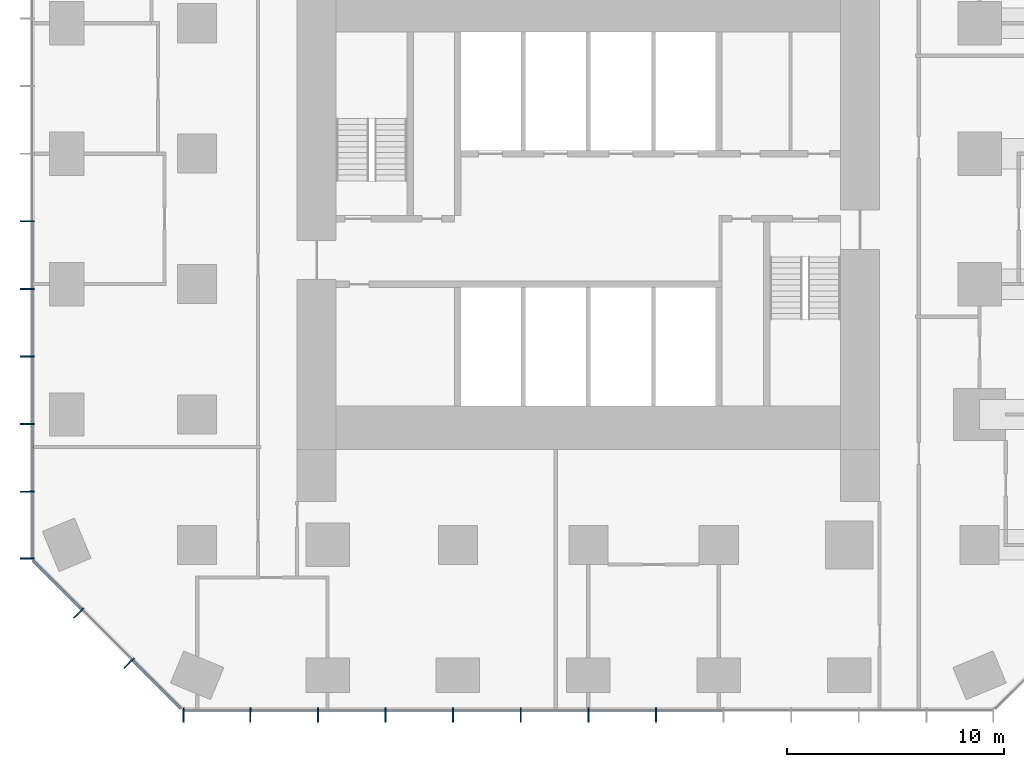
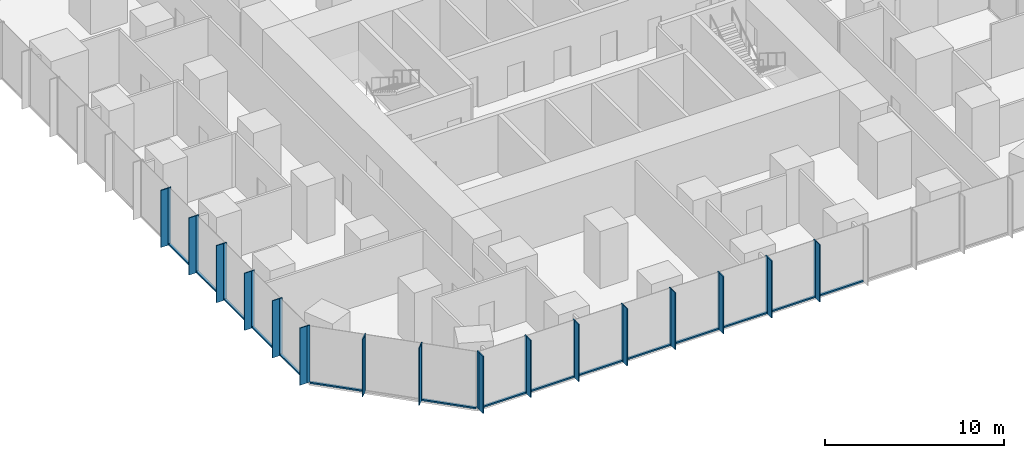
# One storey, part 2 of 12: 47 members, 3 elements without a shape of their own.
"""IFC4 building model written with IfcOpenShell, lengths in metres."""

from ifc_helpers import new_model, si_unit, direction, frame, origin, origin_2d, place, context, subcontext, project, spatial, rectangle, extrude, material, layer, layer_set, material_profile, profile_set, type_object, element, aggregate, save


model = new_model("IFC4")

# Units and contexts
model_context = context("Model", 3, precision=1e-05, world=origin(), true_north=direction((0.0, 1.0)))
body_context = subcontext(model_context, "Body", "Model", "MODEL_VIEW")
ifc_project = project(units=[si_unit("LENGTHUNIT", "METRE"), si_unit("AREAUNIT", "SQUARE_METRE"), si_unit("VOLUMEUNIT", "CUBIC_METRE"), si_unit("PLANEANGLEUNIT", "RADIAN"), si_unit("MASSUNIT", "GRAM", prefix="KILO")], contexts=[model_context])

# Site, building, storey
site_placement = place(None, origin())
site = spatial("IfcSite", under=ifc_project, at=site_placement, CompositionType="ELEMENT")
building_placement = place(site_placement, origin())
building = spatial("IfcBuilding", under=site, at=building_placement, Name="Highveld Stack Headquarters", CompositionType="ELEMENT")
storey_placement = place(building_placement, frame((0.0, 0.0, 80.60009765625)))
storey = spatial("IfcBuildingStorey", under=building, at=storey_placement, Name="L19", CompositionType="ELEMENT", Elevation=80.60009765625)

# Curtain wall, members
ifc_material_1 = material(Name="Aluminium bronze anodised", Category="aluminium")
ifc_layer_1 = layer(ifc_material_1, 0.199951171875)
ifc_layer_set_1 = layer_set([ifc_layer_1], Name="Aluminium bronze anodised")
curtain_wall_type_1 = type_object("IfcCurtainWallType", Name="CW1 TOWER UNITISED CURTAIN WALL", PredefinedType="NOTDEFINED", material=ifc_layer_set_1)
curtain_wall_1_placement = place(storey_placement, origin())
curtain_wall_1 = element("IfcCurtainWall", 1, at=curtain_wall_1_placement, inside=storey, type_object=curtain_wall_type_1, Name="Curtain wall CW1 L19 S", PredefinedType="NOTDEFINED")
ifc_material_2 = material(Name="Aluminium bronze anodised", Category="aluminium")
ifc_material_profile_1 = material_profile(ifc_material_2, rectangle(XDim=0.449951171875, YDim=0.06005859375, at=origin_2d()), Name="FIN 450x60")
ifc_profile_set_1 = profile_set([ifc_material_profile_1], Name="Aluminium bronze anodised")
member_type_1 = type_object("IfcMemberType", Name="CW1 BRONZE FIN 450x60", PredefinedType="USERDEFINED", material=ifc_profile_set_1)
member_1_placement = place(storey_placement, frame((-12.630126953125, -19.925048828125, 0.0), z_axis=(0.0, 0.0, 1.0), x_axis=(0.0, 1.0, 0.0)))
member_1 = element("IfcMember", 2, at=member_1_placement, type_object=member_type_1, Name="CW1 fin L19 1", ObjectType="FIN", PredefinedType="USERDEFINED", context=body_context, shape_type="SweptSolid", body=[
    extrude(rectangle(XDim=0.449951171875, YDim=0.06005859375, at=origin_2d()), origin(), (0.0, 0.0, 1.0), 3.89990234375),
])
member_2_placement = place(storey_placement, frame((-9.55224609375, -19.925048828125, 0.0), z_axis=(0.0, 0.0, 1.0), x_axis=(0.0, 1.0, 0.0)))
member_2 = element("IfcMember", 3, at=member_2_placement, type_object=member_type_1, Name="CW1 fin L19 2", ObjectType="FIN", PredefinedType="USERDEFINED", context=body_context, shape_type="SweptSolid", body=[
    extrude(rectangle(XDim=0.449951171875, YDim=0.06005859375, at=origin_2d()), origin(), (0.0, 0.0, 1.0), 3.89990234375),
])
member_3_placement = place(storey_placement, frame((-6.44189453125, -19.925048828125, 0.0), z_axis=(0.0, 0.0, 1.0), x_axis=(0.0, 1.0, 0.0)))
member_3 = element("IfcMember", 4, at=member_3_placement, type_object=member_type_1, Name="CW1 fin L19 3", ObjectType="FIN", PredefinedType="USERDEFINED", context=body_context, shape_type="SweptSolid", body=[
    extrude(rectangle(XDim=0.449951171875, YDim=0.06005859375, at=origin_2d()), origin(), (0.0, 0.0, 1.0), 3.89990234375),
])
member_4_placement = place(storey_placement, frame((-3.331298828125, -19.925048828125, 0.0), z_axis=(0.0, 0.0, 1.0), x_axis=(0.0, 1.0, 0.0)))
member_4 = element("IfcMember", 5, at=member_4_placement, type_object=member_type_1, Name="CW1 fin L19 4", ObjectType="FIN", PredefinedType="USERDEFINED", context=body_context, shape_type="SweptSolid", body=[
    extrude(rectangle(XDim=0.449951171875, YDim=0.06005859375, at=origin_2d()), origin(), (0.0, 0.0, 1.0), 3.89990234375),
])
member_5_placement = place(storey_placement, frame((-0.220947265625, -19.925048828125, 0.0), z_axis=(0.0, 0.0, 1.0), x_axis=(0.0, 1.0, 0.0)))
member_5 = element("IfcMember", 6, at=member_5_placement, type_object=member_type_1, Name="CW1 fin L19 5", ObjectType="FIN", PredefinedType="USERDEFINED", context=body_context, shape_type="SweptSolid", body=[
    extrude(rectangle(XDim=0.449951171875, YDim=0.06005859375, at=origin_2d()), origin(), (0.0, 0.0, 1.0), 3.89990234375),
])
member_6_placement = place(storey_placement, frame((2.8896484375, -19.925048828125, 0.0), z_axis=(0.0, 0.0, 1.0), x_axis=(0.0, 1.0, 0.0)))
member_6 = element("IfcMember", 7, at=member_6_placement, type_object=member_type_1, Name="CW1 fin L19 6", ObjectType="FIN", PredefinedType="USERDEFINED", context=body_context, shape_type="SweptSolid", body=[
    extrude(rectangle(XDim=0.449951171875, YDim=0.06005859375, at=origin_2d()), origin(), (0.0, 0.0, 1.0), 3.89990234375),
])
member_7_placement = place(storey_placement, frame((6.0, -19.925048828125, 0.0), z_axis=(0.0, 0.0, 1.0), x_axis=(0.0, 1.0, 0.0)))
member_7 = element("IfcMember", 8, at=member_7_placement, type_object=member_type_1, Name="CW1 fin L19 7", ObjectType="FIN", PredefinedType="USERDEFINED", context=body_context, shape_type="SweptSolid", body=[
    extrude(rectangle(XDim=0.449951171875, YDim=0.06005859375, at=origin_2d()), origin(), (0.0, 0.0, 1.0), 3.89990234375),
])
member_8_placement = place(storey_placement, frame((9.110595703125, -19.925048828125, 0.0), z_axis=(0.0, 0.0, 1.0), x_axis=(0.0, 1.0, 0.0)))
member_8 = element("IfcMember", 9, at=member_8_placement, type_object=member_type_1, Name="CW1 fin L19 8", ObjectType="FIN", PredefinedType="USERDEFINED", context=body_context, shape_type="SweptSolid", body=[
    extrude(rectangle(XDim=0.449951171875, YDim=0.06005859375, at=origin_2d()), origin(), (0.0, 0.0, 1.0), 3.89990234375),
])

curtain_wall_2_placement = place(storey_placement, origin())
curtain_wall_2 = element("IfcCurtainWall", 10, at=curtain_wall_2_placement, inside=storey, type_object=curtain_wall_type_1, Name="Curtain wall CW1 L19 W", PredefinedType="NOTDEFINED")
member_9_placement = place(storey_placement, frame((-19.925048828125, 2.889404296875, 0.0), z_axis=(0.0, 0.0, 1.0), x_axis=(1.0, 0.0, 0.0)))
member_9 = element("IfcMember", 11, at=member_9_placement, type_object=member_type_1, Name="CW1 fin L19 8", ObjectType="FIN", PredefinedType="USERDEFINED", context=body_context, shape_type="SweptSolid", body=[
    extrude(rectangle(XDim=0.449951171875, YDim=0.06005859375, at=origin_2d()), origin(), (0.0, 0.0, 1.0), 3.89990234375),
])
member_10_placement = place(storey_placement, frame((-19.925048828125, -0.220947265625, 0.0), z_axis=(0.0, 0.0, 1.0), x_axis=(1.0, 0.0, 0.0)))
member_10 = element("IfcMember", 12, at=member_10_placement, type_object=member_type_1, Name="CW1 fin L19 9", ObjectType="FIN", PredefinedType="USERDEFINED", context=body_context, shape_type="SweptSolid", body=[
    extrude(rectangle(XDim=0.449951171875, YDim=0.06005859375, at=origin_2d()), origin(), (0.0, 0.0, 1.0), 3.89990234375),
])
member_11_placement = place(storey_placement, frame((-19.925048828125, -3.331298828125, 0.0), z_axis=(0.0, 0.0, 1.0), x_axis=(1.0, 0.0, 0.0)))
member_11 = element("IfcMember", 13, at=member_11_placement, type_object=member_type_1, Name="CW1 fin L19 10", ObjectType="FIN", PredefinedType="USERDEFINED", context=body_context, shape_type="SweptSolid", body=[
    extrude(rectangle(XDim=0.449951171875, YDim=0.06005859375, at=origin_2d()), origin(), (0.0, 0.0, 1.0), 3.89990234375),
])
member_12_placement = place(storey_placement, frame((-19.925048828125, -6.44189453125, 0.0), z_axis=(0.0, 0.0, 1.0), x_axis=(1.0, 0.0, 0.0)))
member_12 = element("IfcMember", 14, at=member_12_placement, type_object=member_type_1, Name="CW1 fin L19 11", ObjectType="FIN", PredefinedType="USERDEFINED", context=body_context, shape_type="SweptSolid", body=[
    extrude(rectangle(XDim=0.449951171875, YDim=0.06005859375, at=origin_2d()), origin(), (0.0, 0.0, 1.0), 3.89990234375),
])
member_13_placement = place(storey_placement, frame((-19.925048828125, -9.55224609375, 0.0), z_axis=(0.0, 0.0, 1.0), x_axis=(1.0, 0.0, 0.0)))
member_13 = element("IfcMember", 15, at=member_13_placement, type_object=member_type_1, Name="CW1 fin L19 12", ObjectType="FIN", PredefinedType="USERDEFINED", context=body_context, shape_type="SweptSolid", body=[
    extrude(rectangle(XDim=0.449951171875, YDim=0.06005859375, at=origin_2d()), origin(), (0.0, 0.0, 1.0), 3.89990234375),
])
member_14_placement = place(storey_placement, frame((-19.925048828125, -12.630126953125, 0.0), z_axis=(0.0, 0.0, 1.0), x_axis=(1.0, 0.0, 0.0)))
member_14 = element("IfcMember", 16, at=member_14_placement, type_object=member_type_1, Name="CW1 fin L19 13", ObjectType="FIN", PredefinedType="USERDEFINED", context=body_context, shape_type="SweptSolid", body=[
    extrude(rectangle(XDim=0.449951171875, YDim=0.06005859375, at=origin_2d()), origin(), (0.0, 0.0, 1.0), 3.89990234375),
])

# Member
ifc_material_3 = material(Name="Aluminium bronze anodised", Category="aluminium")
ifc_material_profile_2 = material_profile(ifc_material_3, rectangle(XDim=0.199951171875, YDim=0.06494140625, at=origin_2d()), Name="CW1 MULLION 65x200")
ifc_profile_set_2 = profile_set([ifc_material_profile_2], Name="Aluminium bronze anodised")
member_type_2 = type_object("IfcMemberType", Name="CW1 MULLION 65x200", PredefinedType="MULLION", material=ifc_profile_set_2)
member_15_placement = place(storey_placement, frame((-12.630126953125, -19.60009765625, 0.0), z_axis=(0.0, 0.0, 1.0), x_axis=(0.0, 1.0, 0.0)))
member_15 = element("IfcMember", 17, at=member_15_placement, type_object=member_type_2, Name="CW1 mullion L19 1", PredefinedType="MULLION", context=body_context, shape_type="SweptSolid", body=[
    extrude(rectangle(XDim=0.199951171875, YDim=0.06494140625, at=origin_2d()), origin(), (0.0, 0.0, 1.0), 3.89990234375),
])

member_16_placement = place(storey_placement, frame((-9.55224609375, -19.60009765625, 0.0), z_axis=(0.0, 0.0, 1.0), x_axis=(0.0, 1.0, 0.0)))
member_16 = element("IfcMember", 18, at=member_16_placement, type_object=member_type_2, Name="CW1 mullion L19 2", PredefinedType="MULLION", context=body_context, shape_type="SweptSolid", body=[
    extrude(rectangle(XDim=0.199951171875, YDim=0.06494140625, at=origin_2d()), origin(), (0.0, 0.0, 1.0), 3.89990234375),
])

member_17_placement = place(storey_placement, frame((-6.44189453125, -19.60009765625, 0.0), z_axis=(0.0, 0.0, 1.0), x_axis=(0.0, 1.0, 0.0)))
member_17 = element("IfcMember", 19, at=member_17_placement, type_object=member_type_2, Name="CW1 mullion L19 3", PredefinedType="MULLION", context=body_context, shape_type="SweptSolid", body=[
    extrude(rectangle(XDim=0.199951171875, YDim=0.06494140625, at=origin_2d()), origin(), (0.0, 0.0, 1.0), 3.89990234375),
])

member_18_placement = place(storey_placement, frame((-3.331298828125, -19.60009765625, 0.0), z_axis=(0.0, 0.0, 1.0), x_axis=(0.0, 1.0, 0.0)))
member_18 = element("IfcMember", 20, at=member_18_placement, type_object=member_type_2, Name="CW1 mullion L19 4", PredefinedType="MULLION", context=body_context, shape_type="SweptSolid", body=[
    extrude(rectangle(XDim=0.199951171875, YDim=0.06494140625, at=origin_2d()), origin(), (0.0, 0.0, 1.0), 3.89990234375),
])

member_19_placement = place(storey_placement, frame((-0.220947265625, -19.60009765625, 0.0), z_axis=(0.0, 0.0, 1.0), x_axis=(0.0, 1.0, 0.0)))
member_19 = element("IfcMember", 21, at=member_19_placement, type_object=member_type_2, Name="CW1 mullion L19 5", PredefinedType="MULLION", context=body_context, shape_type="SweptSolid", body=[
    extrude(rectangle(XDim=0.199951171875, YDim=0.06494140625, at=origin_2d()), origin(), (0.0, 0.0, 1.0), 3.89990234375),
])

member_20_placement = place(storey_placement, frame((2.8896484375, -19.60009765625, 0.0), z_axis=(0.0, 0.0, 1.0), x_axis=(0.0, 1.0, 0.0)))
member_20 = element("IfcMember", 22, at=member_20_placement, type_object=member_type_2, Name="CW1 mullion L19 6", PredefinedType="MULLION", context=body_context, shape_type="SweptSolid", body=[
    extrude(rectangle(XDim=0.199951171875, YDim=0.06494140625, at=origin_2d()), origin(), (0.0, 0.0, 1.0), 3.89990234375),
])

member_21_placement = place(storey_placement, frame((6.0, -19.60009765625, 0.0), z_axis=(0.0, 0.0, 1.0), x_axis=(0.0, 1.0, 0.0)))
member_21 = element("IfcMember", 23, at=member_21_placement, type_object=member_type_2, Name="CW1 mullion L19 7", PredefinedType="MULLION", context=body_context, shape_type="SweptSolid", body=[
    extrude(rectangle(XDim=0.199951171875, YDim=0.06494140625, at=origin_2d()), origin(), (0.0, 0.0, 1.0), 3.89990234375),
])

member_22_placement = place(storey_placement, frame((9.110595703125, -19.60009765625, 0.0), z_axis=(0.0, 0.0, 1.0), x_axis=(0.0, 1.0, 0.0)))
member_22 = element("IfcMember", 24, at=member_22_placement, type_object=member_type_2, Name="CW1 mullion L19 8", PredefinedType="MULLION", context=body_context, shape_type="SweptSolid", body=[
    extrude(rectangle(XDim=0.199951171875, YDim=0.06494140625, at=origin_2d()), origin(), (0.0, 0.0, 1.0), 3.89990234375),
])

member_23_placement = place(storey_placement, frame((-19.60009765625, 2.889404296875, 0.0), z_axis=(0.0, 0.0, 1.0), x_axis=(1.0, 0.0, 0.0)))
member_23 = element("IfcMember", 25, at=member_23_placement, type_object=member_type_2, Name="CW1 mullion L19 8", PredefinedType="MULLION", context=body_context, shape_type="SweptSolid", body=[
    extrude(rectangle(XDim=0.199951171875, YDim=0.06494140625, at=origin_2d()), origin(), (0.0, 0.0, 1.0), 3.89990234375),
])

member_24_placement = place(storey_placement, frame((-19.60009765625, -0.220947265625, 0.0), z_axis=(0.0, 0.0, 1.0), x_axis=(1.0, 0.0, 0.0)))
member_24 = element("IfcMember", 26, at=member_24_placement, type_object=member_type_2, Name="CW1 mullion L19 9", PredefinedType="MULLION", context=body_context, shape_type="SweptSolid", body=[
    extrude(rectangle(XDim=0.199951171875, YDim=0.06494140625, at=origin_2d()), origin(), (0.0, 0.0, 1.0), 3.89990234375),
])

member_25_placement = place(storey_placement, frame((-19.60009765625, -3.331298828125, 0.0), z_axis=(0.0, 0.0, 1.0), x_axis=(1.0, 0.0, 0.0)))
member_25 = element("IfcMember", 27, at=member_25_placement, type_object=member_type_2, Name="CW1 mullion L19 10", PredefinedType="MULLION", context=body_context, shape_type="SweptSolid", body=[
    extrude(rectangle(XDim=0.199951171875, YDim=0.06494140625, at=origin_2d()), origin(), (0.0, 0.0, 1.0), 3.89990234375),
])

member_26_placement = place(storey_placement, frame((-19.60009765625, -6.44189453125, 0.0), z_axis=(0.0, 0.0, 1.0), x_axis=(1.0, 0.0, 0.0)))
member_26 = element("IfcMember", 28, at=member_26_placement, type_object=member_type_2, Name="CW1 mullion L19 11", PredefinedType="MULLION", context=body_context, shape_type="SweptSolid", body=[
    extrude(rectangle(XDim=0.199951171875, YDim=0.06494140625, at=origin_2d()), origin(), (0.0, 0.0, 1.0), 3.89990234375),
])

member_27_placement = place(storey_placement, frame((-19.60009765625, -9.55224609375, 0.0), z_axis=(0.0, 0.0, 1.0), x_axis=(1.0, 0.0, 0.0)))
member_27 = element("IfcMember", 29, at=member_27_placement, type_object=member_type_2, Name="CW1 mullion L19 12", PredefinedType="MULLION", context=body_context, shape_type="SweptSolid", body=[
    extrude(rectangle(XDim=0.199951171875, YDim=0.06494140625, at=origin_2d()), origin(), (0.0, 0.0, 1.0), 3.89990234375),
])

member_28_placement = place(storey_placement, frame((-19.60009765625, -12.630126953125, 0.0), z_axis=(0.0, 0.0, 1.0), x_axis=(1.0, 0.0, 0.0)))
member_28 = element("IfcMember", 30, at=member_28_placement, type_object=member_type_2, Name="CW1 mullion L19 13", PredefinedType="MULLION", context=body_context, shape_type="SweptSolid", body=[
    extrude(rectangle(XDim=0.199951171875, YDim=0.06494140625, at=origin_2d()), origin(), (0.0, 0.0, 1.0), 3.89990234375),
])

ifc_material_4 = material(Name="Aluminium bronze anodised", Category="aluminium")
ifc_material_profile_3 = material_profile(ifc_material_4, rectangle(XDim=0.14990234375, YDim=0.10009765625, at=origin_2d()), Name="CW1 TRANSOM 150x100")
ifc_profile_set_3 = profile_set([ifc_material_profile_3], Name="Aluminium bronze anodised")
member_type_3 = type_object("IfcMemberType", Name="CW1 STACK TRANSOM 150x100", PredefinedType="USERDEFINED", material=ifc_profile_set_3)
member_29_placement = place(storey_placement, frame((-12.59765625, -19.60009765625, 0.0498046875), z_axis=(1.0, 0.0, 0.0), x_axis=(0.0, 1.0, 0.0)))
member_29 = element("IfcMember", 31, at=member_29_placement, type_object=member_type_3, Name="CW1 transom L19 1.1", ObjectType="TRANSOM", PredefinedType="USERDEFINED", context=body_context, shape_type="SweptSolid", body=[
    extrude(rectangle(XDim=0.14990234375, YDim=0.10009765625, at=origin_2d()), origin(), (0.0, 0.0, 1.0), 3.012939453125),
])

member_30_placement = place(storey_placement, frame((-9.519775390625, -19.60009765625, 0.0498046875), z_axis=(1.0, 0.0, 0.0), x_axis=(0.0, 1.0, 0.0)))
member_30 = element("IfcMember", 32, at=member_30_placement, type_object=member_type_3, Name="CW1 transom L19 2.1", ObjectType="TRANSOM", PredefinedType="USERDEFINED", context=body_context, shape_type="SweptSolid", body=[
    extrude(rectangle(XDim=0.14990234375, YDim=0.10009765625, at=origin_2d()), origin(), (0.0, 0.0, 1.0), 3.04541015625),
])

member_31_placement = place(storey_placement, frame((-6.4091796875, -19.60009765625, 0.0498046875), z_axis=(1.0, 0.0, 0.0), x_axis=(0.0, 1.0, 0.0)))
member_31 = element("IfcMember", 33, at=member_31_placement, type_object=member_type_3, Name="CW1 transom L19 3.1", ObjectType="TRANSOM", PredefinedType="USERDEFINED", context=body_context, shape_type="SweptSolid", body=[
    extrude(rectangle(XDim=0.14990234375, YDim=0.10009765625, at=origin_2d()), origin(), (0.0, 0.0, 1.0), 3.04541015625),
])

member_32_placement = place(storey_placement, frame((-3.298828125, -19.60009765625, 0.0498046875), z_axis=(1.0, 0.0, 0.0), x_axis=(0.0, 1.0, 0.0)))
member_32 = element("IfcMember", 34, at=member_32_placement, type_object=member_type_3, Name="CW1 transom L19 4.1", ObjectType="TRANSOM", PredefinedType="USERDEFINED", context=body_context, shape_type="SweptSolid", body=[
    extrude(rectangle(XDim=0.14990234375, YDim=0.10009765625, at=origin_2d()), origin(), (0.0, 0.0, 1.0), 3.04541015625),
])

member_33_placement = place(storey_placement, frame((-0.1884765625, -19.60009765625, 0.0498046875), z_axis=(1.0, 0.0, 0.0), x_axis=(0.0, 1.0, 0.0)))
member_33 = element("IfcMember", 35, at=member_33_placement, type_object=member_type_3, Name="CW1 transom L19 5.1", ObjectType="TRANSOM", PredefinedType="USERDEFINED", context=body_context, shape_type="SweptSolid", body=[
    extrude(rectangle(XDim=0.14990234375, YDim=0.10009765625, at=origin_2d()), origin(), (0.0, 0.0, 1.0), 3.045654296875),
])

member_34_placement = place(storey_placement, frame((2.922119140625, -19.60009765625, 0.0498046875), z_axis=(1.0, 0.0, 0.0), x_axis=(0.0, 1.0, 0.0)))
member_34 = element("IfcMember", 36, at=member_34_placement, type_object=member_type_3, Name="CW1 transom L19 6.1", ObjectType="TRANSOM", PredefinedType="USERDEFINED", context=body_context, shape_type="SweptSolid", body=[
    extrude(rectangle(XDim=0.14990234375, YDim=0.10009765625, at=origin_2d()), origin(), (0.0, 0.0, 1.0), 3.04541015625),
])

member_35_placement = place(storey_placement, frame((6.032470703125, -19.60009765625, 0.0498046875), z_axis=(1.0, 0.0, 0.0), x_axis=(0.0, 1.0, 0.0)))
member_35 = element("IfcMember", 37, at=member_35_placement, type_object=member_type_3, Name="CW1 transom L19 7.1", ObjectType="TRANSOM", PredefinedType="USERDEFINED", context=body_context, shape_type="SweptSolid", body=[
    extrude(rectangle(XDim=0.14990234375, YDim=0.10009765625, at=origin_2d()), origin(), (0.0, 0.0, 1.0), 3.04541015625),
])

member_36_placement = place(storey_placement, frame((9.14306640625, -19.60009765625, 0.0498046875), z_axis=(1.0, 0.0, 0.0), x_axis=(0.0, 1.0, 0.0)))
member_36 = element("IfcMember", 38, at=member_36_placement, type_object=member_type_3, Name="CW1 transom L19 8.1", ObjectType="TRANSOM", PredefinedType="USERDEFINED", context=body_context, shape_type="SweptSolid", body=[
    extrude(rectangle(XDim=0.14990234375, YDim=0.10009765625, at=origin_2d()), origin(), (0.0, 0.0, 1.0), 3.04541015625),
])

aggregate(curtain_wall_1, [member_15, member_1, member_16, member_2, member_17, member_3, member_18, member_4, member_19, member_5, member_20, member_6, member_21, member_7, member_22, member_8, member_29, member_30, member_31, member_32, member_33, member_34, member_35, member_36])

member_37_placement = place(storey_placement, frame((-19.60009765625, 2.857177734375, 0.0498046875), z_axis=(0.0, -1.0, 0.0), x_axis=(1.0, 0.0, 0.0)))
member_37 = element("IfcMember", 39, at=member_37_placement, type_object=member_type_3, Name="CW1 transom L19 8.1", ObjectType="TRANSOM", PredefinedType="USERDEFINED", context=body_context, shape_type="SweptSolid", body=[
    extrude(rectangle(XDim=0.14990234375, YDim=0.10009765625, at=origin_2d()), origin(), (0.0, 0.0, 1.0), 3.045654296875),
])

member_38_placement = place(storey_placement, frame((-19.60009765625, -0.25341796875, 0.0498046875), z_axis=(0.0, -1.0, 0.0), x_axis=(1.0, 0.0, 0.0)))
member_38 = element("IfcMember", 40, at=member_38_placement, type_object=member_type_3, Name="CW1 transom L19 9.1", ObjectType="TRANSOM", PredefinedType="USERDEFINED", context=body_context, shape_type="SweptSolid", body=[
    extrude(rectangle(XDim=0.14990234375, YDim=0.10009765625, at=origin_2d()), origin(), (0.0, 0.0, 1.0), 3.04541015625),
])

member_39_placement = place(storey_placement, frame((-19.60009765625, -3.36376953125, 0.0498046875), z_axis=(0.0, -1.0, 0.0), x_axis=(1.0, 0.0, 0.0)))
member_39 = element("IfcMember", 41, at=member_39_placement, type_object=member_type_3, Name="CW1 transom L19 10.1", ObjectType="TRANSOM", PredefinedType="USERDEFINED", context=body_context, shape_type="SweptSolid", body=[
    extrude(rectangle(XDim=0.14990234375, YDim=0.10009765625, at=origin_2d()), origin(), (0.0, 0.0, 1.0), 3.04541015625),
])

member_40_placement = place(storey_placement, frame((-19.60009765625, -6.474365234375, 0.0498046875), z_axis=(0.0, -1.0, 0.0), x_axis=(1.0, 0.0, 0.0)))
member_40 = element("IfcMember", 42, at=member_40_placement, type_object=member_type_3, Name="CW1 transom L19 11.1", ObjectType="TRANSOM", PredefinedType="USERDEFINED", context=body_context, shape_type="SweptSolid", body=[
    extrude(rectangle(XDim=0.14990234375, YDim=0.10009765625, at=origin_2d()), origin(), (0.0, 0.0, 1.0), 3.04541015625),
])

member_41_placement = place(storey_placement, frame((-19.60009765625, -9.584716796875, 0.0498046875), z_axis=(0.0, -1.0, 0.0), x_axis=(1.0, 0.0, 0.0)))
member_41 = element("IfcMember", 43, at=member_41_placement, type_object=member_type_3, Name="CW1 transom L19 12.1", ObjectType="TRANSOM", PredefinedType="USERDEFINED", context=body_context, shape_type="SweptSolid", body=[
    extrude(rectangle(XDim=0.14990234375, YDim=0.10009765625, at=origin_2d()), origin(), (0.0, 0.0, 1.0), 3.012939453125),
])

aggregate(curtain_wall_2, [member_23, member_9, member_24, member_10, member_25, member_11, member_26, member_12, member_27, member_13, member_28, member_14, member_37, member_38, member_39, member_40, member_41])

# Curtain wall, members
ifc_material_5 = material(Name="Aluminium bronze anodised", Category="aluminium")
ifc_layer_2 = layer(ifc_material_5, 0.199951171875)
ifc_layer_set_2 = layer_set([ifc_layer_2], Name="Aluminium bronze anodised")
curtain_wall_type_2 = type_object("IfcCurtainWallType", Name="CW2 TOWER CHAMFER UNITISED CURTAIN WALL", PredefinedType="NOTDEFINED", material=ifc_layer_set_2)
curtain_wall_3_placement = place(storey_placement, origin())
curtain_wall_3 = element("IfcCurtainWall", 44, at=curtain_wall_3_placement, inside=storey, type_object=curtain_wall_type_2, Name="Curtain wall CW2 L19 SW", PredefinedType="NOTDEFINED")
ifc_material_6 = material(Name="Aluminium bronze anodised", Category="aluminium")
ifc_material_profile_4 = material_profile(ifc_material_6, rectangle(XDim=0.449951171875, YDim=0.06005859375, at=origin_2d()), Name="FIN 450x60")
ifc_profile_set_4 = profile_set([ifc_material_profile_4], Name="Aluminium bronze anodised")
member_type_4 = type_object("IfcMemberType", Name="CW2 BRONZE FIN 450x60", PredefinedType="USERDEFINED", material=ifc_profile_set_4)
member_42_placement = place(storey_placement, frame((-17.517333984375, -15.204833984375, 0.0), z_axis=(0.0, 0.0, 1.0), x_axis=(0.707106781187, 0.707106781187, 0.0)))
member_42 = element("IfcMember", 45, at=member_42_placement, type_object=member_type_4, Name="CW2 fin L19 1", ObjectType="FIN", PredefinedType="USERDEFINED", context=body_context, shape_type="SweptSolid", body=[
    extrude(rectangle(XDim=0.449951171875, YDim=0.06005859375, at=origin_2d()), origin(), (0.0, 0.0, 1.0), 3.89990234375),
])
member_43_placement = place(storey_placement, frame((-15.204833984375, -17.517333984375, 0.0), z_axis=(0.0, 0.0, 1.0), x_axis=(0.707106781187, 0.707106781187, 0.0)))
member_43 = element("IfcMember", 46, at=member_43_placement, type_object=member_type_4, Name="CW2 fin L19 2", ObjectType="FIN", PredefinedType="USERDEFINED", context=body_context, shape_type="SweptSolid", body=[
    extrude(rectangle(XDim=0.449951171875, YDim=0.06005859375, at=origin_2d()), origin(), (0.0, 0.0, 1.0), 3.89990234375),
])
ifc_material_7 = material(Name="Aluminium bronze anodised", Category="aluminium")
ifc_material_profile_5 = material_profile(ifc_material_7, rectangle(XDim=0.199951171875, YDim=0.06494140625, at=origin_2d()), Name="CW2 MULLION 65x200")
ifc_profile_set_5 = profile_set([ifc_material_profile_5], Name="Aluminium bronze anodised")
member_type_5 = type_object("IfcMemberType", Name="CW2 MULLION 65x200", PredefinedType="MULLION", material=ifc_profile_set_5)
member_44_placement = place(storey_placement, frame((-17.28759765625, -14.97509765625, 0.0), z_axis=(0.0, 0.0, 1.0), x_axis=(0.707106781187, 0.707106781187, 0.0)))
member_44 = element("IfcMember", 47, at=member_44_placement, type_object=member_type_5, Name="CW2 mullion L19 1", PredefinedType="MULLION", context=body_context, shape_type="SweptSolid", body=[
    extrude(rectangle(XDim=0.199951171875, YDim=0.06494140625, at=origin_2d()), origin(), (0.0, 0.0, 1.0), 3.89990234375),
])
member_45_placement = place(storey_placement, frame((-14.97509765625, -17.28759765625, 0.0), z_axis=(0.0, 0.0, 1.0), x_axis=(0.707106781187, 0.707106781187, 0.0)))
member_45 = element("IfcMember", 48, at=member_45_placement, type_object=member_type_5, Name="CW2 mullion L19 2", PredefinedType="MULLION", context=body_context, shape_type="SweptSolid", body=[
    extrude(rectangle(XDim=0.199951171875, YDim=0.06494140625, at=origin_2d()), origin(), (0.0, 0.0, 1.0), 3.89990234375),
])
ifc_material_8 = material(Name="Aluminium bronze anodised", Category="aluminium")
ifc_material_profile_6 = material_profile(ifc_material_8, rectangle(XDim=0.14990234375, YDim=0.10009765625, at=origin_2d()), Name="CW2 TRANSOM 150x100")
ifc_profile_set_6 = profile_set([ifc_material_profile_6], Name="Aluminium bronze anodised")
member_type_6 = type_object("IfcMemberType", Name="CW2 STACK TRANSOM 150x100", PredefinedType="USERDEFINED", material=ifc_profile_set_6)
member_46_placement = place(storey_placement, frame((-19.529296875, -12.7333984375, 0.0498046875), z_axis=(0.707106781187, -0.707106781187, 0.0), x_axis=(0.707106781187, 0.707106781187, 0.0)))
member_46 = element("IfcMember", 49, at=member_46_placement, type_object=member_type_6, Name="CW2 transom L19 1.1", ObjectType="TRANSOM", PredefinedType="USERDEFINED", context=body_context, shape_type="SweptSolid", body=[
    extrude(rectangle(XDim=0.14990234375, YDim=0.10009765625, at=origin_2d()), origin(), (0.0, 0.0, 1.0), 3.1376953125),
])
member_47_placement = place(storey_placement, frame((-14.9521484375, -17.310546875, 0.0498046875), z_axis=(0.707106781187, -0.707106781187, 0.0), x_axis=(0.707106781187, 0.707106781187, 0.0)))
member_47 = element("IfcMember", 50, at=member_47_placement, type_object=member_type_6, Name="CW2 transom L19 3.1", ObjectType="TRANSOM", PredefinedType="USERDEFINED", context=body_context, shape_type="SweptSolid", body=[
    extrude(rectangle(XDim=0.14990234375, YDim=0.10009765625, at=origin_2d()), origin(), (0.0, 0.0, 1.0), 3.1376953125),
])
aggregate(curtain_wall_3, [member_44, member_42, member_45, member_43, member_46, member_47])

save(model, "model.ifc")
